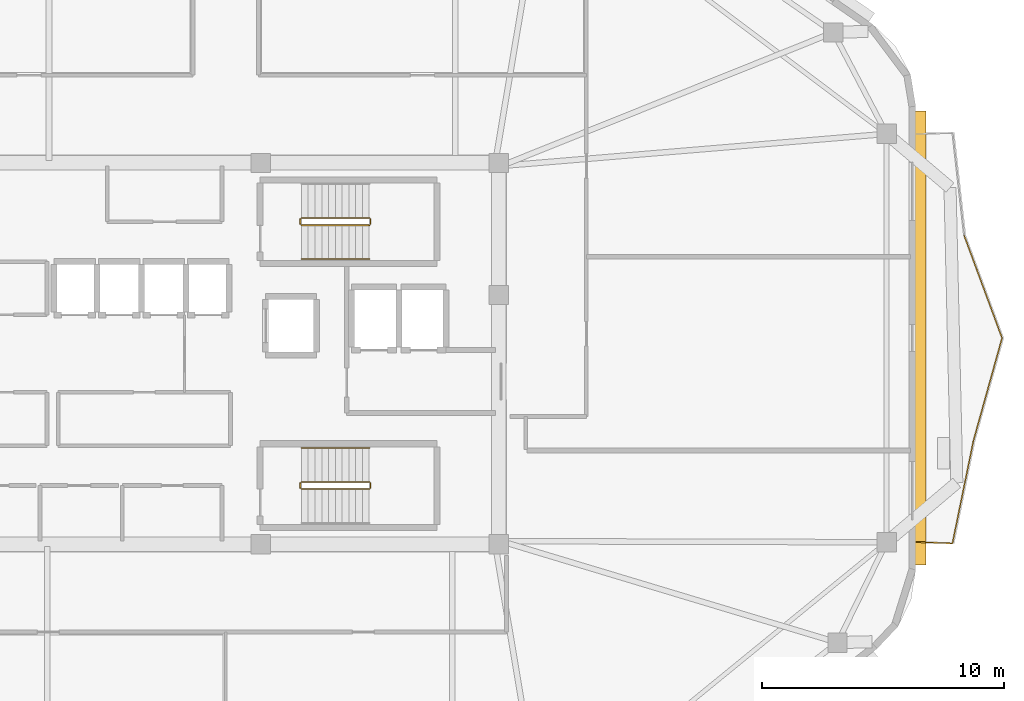
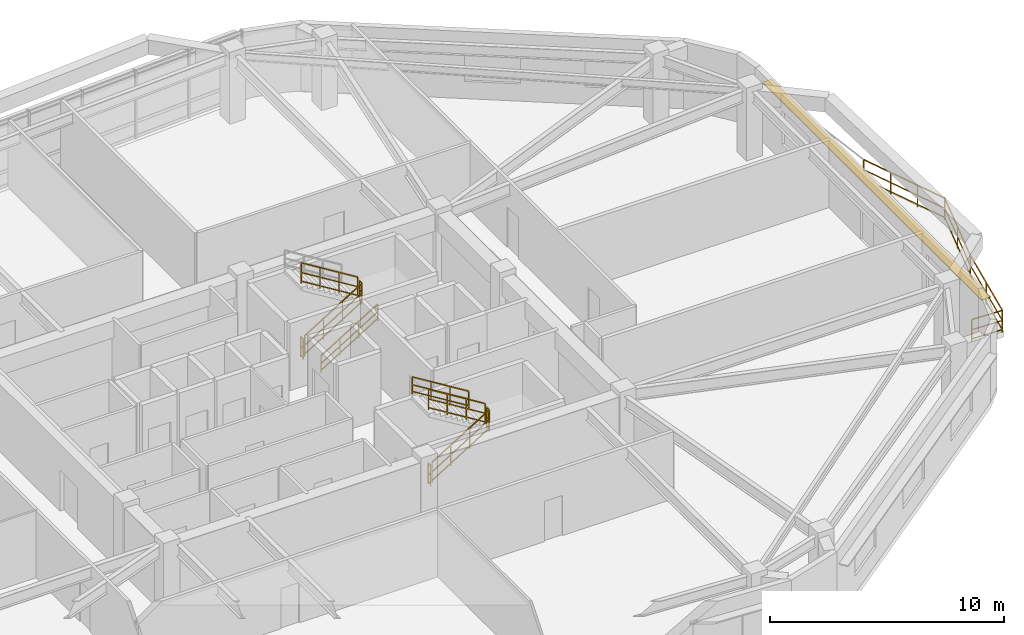
# One storey, part 11 of 12: 14 railings, 1 shading device.
"""IFC4 building model written with IfcOpenShell, lengths in metres."""

from ifc_helpers import new_model, si_unit, direction, frame, origin, origin_2d, place, context, subcontext, project, spatial, rectangle, extrude, material, layer, layer_set, type_object, element, save


model = new_model("IFC4")

# Units and contexts
model_context = context("Model", 3, precision=1e-05, world=origin(), true_north=direction((0.0, 1.0)))
body_context = subcontext(model_context, "Body", "Model", "MODEL_VIEW")
ifc_project = project(units=[si_unit("LENGTHUNIT", "METRE"), si_unit("AREAUNIT", "SQUARE_METRE"), si_unit("VOLUMEUNIT", "CUBIC_METRE"), si_unit("PLANEANGLEUNIT", "RADIAN"), si_unit("MASSUNIT", "GRAM", prefix="KILO")], contexts=[model_context])

# Site, building, storey
site_placement = place(None, origin())
site = spatial("IfcSite", under=ifc_project, at=site_placement, CompositionType="ELEMENT")
building_placement = place(site_placement, origin())
building = spatial("IfcBuilding", under=site, at=building_placement, Name="Zulverin Broadcast Headquarters", CompositionType="ELEMENT")
storey_placement = place(building_placement, frame((0.0, 0.0, 263.0)))
storey = spatial("IfcBuildingStorey", under=building, at=storey_placement, Name="L67", CompositionType="ELEMENT", Elevation=263.0)

# Railings
ifc_material_1 = material(Name="Brushed stainless steel & laminated glass balustrade", Category="steel")
railing_type_1 = type_object("IfcRailingType", Name="RL-GUARD-1150", PredefinedType="GUARDRAIL", material=ifc_material_1)
railing_1_placement = place(storey_placement, frame((65.5400390625, 17.417724609375, 0.0)))
element("IfcRailing", 1, at=railing_1_placement, inside=storey, type_object=railing_type_1, Name="L67 Vertical-Forest Balcony Guardrail BAL_E Segment 01", PredefinedType="GUARDRAIL", context=body_context, shape_type="SweptSolid", body=[
    extrude(rectangle(XDim=0.048095703125, YDim=0.048095703125, at=origin_2d()), frame((0.0, 0.0, 1.1259765625), z_axis=(0.99918088253, -0.040466825742, 0.0), x_axis=(0.040466825742, 0.99918088253, 0.0)), (0.0, 0.0, 1.0), 1.466064453125),
    extrude(rectangle(XDim=0.0419921875, YDim=0.0419921875, at=origin_2d()), frame((0.0, 0.0, 0.597900390625), z_axis=(0.99918088253, -0.040466825742, 0.0), x_axis=(0.040466825742, 0.99918088253, 0.0)), (0.0, 0.0, 1.0), 1.466064453125),
    extrude(rectangle(XDim=0.0419921875, YDim=0.0419921875, at=origin_2d()), frame((0.0, 0.0, 0.1201171875), z_axis=(0.99918088253, -0.040466825742, 0.0), x_axis=(0.040466825742, 0.99918088253, 0.0)), (0.0, 0.0, 1.0), 1.466064453125),
    extrude(rectangle(XDim=0.0419921875, YDim=0.0419921875, at=origin_2d()), origin(), (0.0, 0.0, 1.0), 1.101806640625),
    extrude(rectangle(XDim=0.0419921875, YDim=0.0419921875, at=origin_2d()), frame((1.46484375, -0.059326171875, 0.0)), (0.0, 0.0, 1.0), 1.101806640625),
])
railing_2_placement = place(storey_placement, frame((67.02294921875, 17.372314453125, 0.0)))
element("IfcRailing", 2, at=railing_2_placement, inside=storey, type_object=railing_type_1, Name="L67 Vertical-Forest Balcony Guardrail BAL_E Segment 02", PredefinedType="GUARDRAIL", context=body_context, shape_type="SweptSolid", body=[
    extrude(rectangle(XDim=0.048095703125, YDim=0.048095703125, at=origin_2d()), frame((0.0, 0.0, 1.1259765625), z_axis=(0.20037270255, 0.979719745679, 0.0), x_axis=(-0.979719745679, 0.20037270255, 0.0)), (0.0, 0.0, 1.0), 4.2998046875),
    extrude(rectangle(XDim=0.0419921875, YDim=0.0419921875, at=origin_2d()), frame((0.0, 0.0, 0.597900390625), z_axis=(0.20037270255, 0.979719745679, 0.0), x_axis=(-0.979719745679, 0.20037270255, 0.0)), (0.0, 0.0, 1.0), 4.2998046875),
    extrude(rectangle(XDim=0.0419921875, YDim=0.0419921875, at=origin_2d()), frame((0.0, 0.0, 0.1201171875), z_axis=(0.20037270255, 0.979719745679, 0.0), x_axis=(-0.979719745679, 0.20037270255, 0.0)), (0.0, 0.0, 1.0), 4.2998046875),
    extrude(rectangle(XDim=0.0419921875, YDim=0.0419921875, at=origin_2d()), origin(), (0.0, 0.0, 1.0), 1.101806640625),
    extrude(rectangle(XDim=0.0419921875, YDim=0.0419921875, at=origin_2d()), frame((0.4306640625, 2.1064453125, 0.0)), (0.0, 0.0, 1.0), 1.101806640625),
    extrude(rectangle(XDim=0.0419921875, YDim=0.0419921875, at=origin_2d()), frame((0.861572265625, 4.212646484375, 0.0)), (0.0, 0.0, 1.0), 1.101806640625),
])
railing_3_placement = place(storey_placement, frame((67.8916015625, 21.614013671875, 0.0)))
element("IfcRailing", 3, at=railing_3_placement, inside=storey, type_object=railing_type_1, Name="L67 Vertical-Forest Balcony Guardrail BAL_E Segment 03", PredefinedType="GUARDRAIL", context=body_context, shape_type="SweptSolid", body=[
    extrude(rectangle(XDim=0.048095703125, YDim=0.048095703125, at=origin_2d()), frame((0.0, 0.0, 1.1259765625), z_axis=(0.268478615717, 0.963285644501, 0.0), x_axis=(-0.963285644501, 0.268478615717, 0.0)), (0.0, 0.0, 1.0), 4.3740234375),
    extrude(rectangle(XDim=0.0419921875, YDim=0.0419921875, at=origin_2d()), frame((0.0, 0.0, 0.597900390625), z_axis=(0.268478615717, 0.963285644501, 0.0), x_axis=(-0.963285644501, 0.268478615717, 0.0)), (0.0, 0.0, 1.0), 4.3740234375),
    extrude(rectangle(XDim=0.0419921875, YDim=0.0419921875, at=origin_2d()), frame((0.0, 0.0, 0.1201171875), z_axis=(0.268478615717, 0.963285644501, 0.0), x_axis=(-0.963285644501, 0.268478615717, 0.0)), (0.0, 0.0, 1.0), 4.3740234375),
    extrude(rectangle(XDim=0.0419921875, YDim=0.0419921875, at=origin_2d()), origin(), (0.0, 0.0, 1.0), 1.101806640625),
    extrude(rectangle(XDim=0.0419921875, YDim=0.0419921875, at=origin_2d()), frame((0.587158203125, 2.106689453125, 0.0)), (0.0, 0.0, 1.0), 1.101806640625),
    extrude(rectangle(XDim=0.0419921875, YDim=0.0419921875, at=origin_2d()), frame((1.17431640625, 4.21337890625, 0.0)), (0.0, 0.0, 1.0), 1.101806640625),
])
railing_4_placement = place(storey_placement, frame((69.064697265625, 25.855712890625, 0.0)))
element("IfcRailing", 4, at=railing_4_placement, inside=storey, type_object=railing_type_1, Name="L67 Vertical-Forest Balcony Guardrail BAL_E Segment 04", PredefinedType="GUARDRAIL", context=body_context, shape_type="SweptSolid", body=[
    extrude(rectangle(XDim=0.048095703125, YDim=0.048095703125, at=origin_2d()), frame((0.0, 0.0, 1.1259765625), z_axis=(-0.346808122026, 0.937936099368, 0.0), x_axis=(-0.937936099368, -0.346808122026, 0.0)), (0.0, 0.0, 1.0), 4.49267578125),
    extrude(rectangle(XDim=0.0419921875, YDim=0.0419921875, at=origin_2d()), frame((0.0, 0.0, 0.597900390625), z_axis=(-0.346808122026, 0.937936099368, 0.0), x_axis=(-0.937936099368, -0.346808122026, 0.0)), (0.0, 0.0, 1.0), 4.49267578125),
    extrude(rectangle(XDim=0.0419921875, YDim=0.0419921875, at=origin_2d()), frame((0.0, 0.0, 0.1201171875), z_axis=(-0.346808122026, 0.937936099368, 0.0), x_axis=(-0.937936099368, -0.346808122026, 0.0)), (0.0, 0.0, 1.0), 4.49267578125),
    extrude(rectangle(XDim=0.0419921875, YDim=0.0419921875, at=origin_2d()), origin(), (0.0, 0.0, 1.0), 1.101806640625),
    extrude(rectangle(XDim=0.0419921875, YDim=0.0419921875, at=origin_2d()), frame((-0.519287109375, 1.404541015625, 0.0)), (0.0, 0.0, 1.0), 1.101806640625),
    extrude(rectangle(XDim=0.0419921875, YDim=0.0419921875, at=origin_2d()), frame((-1.038818359375, 2.809326171875, 0.0)), (0.0, 0.0, 1.0), 1.101806640625),
    extrude(rectangle(XDim=0.0419921875, YDim=0.0419921875, at=origin_2d()), frame((-1.55810546875, 4.2138671875, 0.0)), (0.0, 0.0, 1.0), 1.101806640625),
])
ifc_material_2 = material(Name="Painted galvanized steel tubular guardrail S355JR", Category="steel")
railing_type_2 = type_object("IfcRailingType", Name="RL-ST-GUARD", PredefinedType="GUARDRAIL", material=ifc_material_2)
railing_5_placement = place(storey_placement, frame((40.1298828125, 30.5, 0.172607421875)))
element("IfcRailing", 5, at=railing_5_placement, inside=storey, type_object=railing_type_2, Name="L67 ST-1 stair guard 1", PredefinedType="GUARDRAIL", context=body_context, shape_type="SweptSolid", body=[
    extrude(rectangle(XDim=0.048095703125, YDim=0.048095703125, at=origin_2d()), frame((0.0, 0.0, 1.076171875), z_axis=(0.851089632645, 0.0, 0.525020415988), x_axis=(0.0, 1.0, 0.0)), (0.0, 0.0, 1.0), 3.2900390625),
    extrude(rectangle(XDim=0.0419921875, YDim=0.0419921875, at=origin_2d()), frame((0.0, 0.0, 0.572021484375), z_axis=(0.851089632645, 0.0, 0.525020415988), x_axis=(0.0, 1.0, 0.0)), (0.0, 0.0, 1.0), 3.2900390625),
    extrude(rectangle(XDim=0.0419921875, YDim=0.0419921875, at=origin_2d()), frame((0.0, 0.0, 0.1201171875), z_axis=(0.851089632645, 0.0, 0.525020415988), x_axis=(0.0, 1.0, 0.0)), (0.0, 0.0, 1.0), 3.2900390625),
    extrude(rectangle(XDim=0.0419921875, YDim=0.0419921875, at=origin_2d()), origin(), (0.0, 0.0, 1.0), 1.052001953125),
    extrude(rectangle(XDim=0.0419921875, YDim=0.0419921875, at=origin_2d()), frame((0.933349609375, 0.0, 0.57568359375)), (0.0, 0.0, 1.0), 1.052001953125),
    extrude(rectangle(XDim=0.0419921875, YDim=0.0419921875, at=origin_2d()), frame((1.86669921875, 0.0, 1.151611328125)), (0.0, 0.0, 1.0), 1.052001953125),
    extrude(rectangle(XDim=0.0419921875, YDim=0.0419921875, at=origin_2d()), frame((2.800048828125, 0.0, 1.727294921875)), (0.0, 0.0, 1.0), 1.052001953125),
])
railing_6_placement = place(storey_placement, frame((42.97998046875, 30.550048828125, 1.89990234375)))
element("IfcRailing", 6, at=railing_6_placement, inside=storey, type_object=railing_type_2, Name="L67 ST-1 stair guard 2", PredefinedType="GUARDRAIL", context=body_context, shape_type="SweptSolid", body=[
    extrude(rectangle(XDim=0.048095703125, YDim=0.048095703125, at=origin_2d()), frame((0.0, 0.0, 1.076171875), z_axis=(0.0, 1.0, 0.0), x_axis=(-1.0, 0.0, 0.0)), (0.0, 0.0, 1.0), 0.199951171875),
    extrude(rectangle(XDim=0.0419921875, YDim=0.0419921875, at=origin_2d()), frame((0.0, 0.0, 0.572021484375), z_axis=(0.0, 1.0, 0.0), x_axis=(-1.0, 0.0, 0.0)), (0.0, 0.0, 1.0), 0.199951171875),
    extrude(rectangle(XDim=0.0419921875, YDim=0.0419921875, at=origin_2d()), frame((0.0, 0.0, 0.1201171875), z_axis=(0.0, 1.0, 0.0), x_axis=(-1.0, 0.0, 0.0)), (0.0, 0.0, 1.0), 0.199951171875),
    extrude(rectangle(XDim=0.0419921875, YDim=0.0419921875, at=origin_2d()), origin(), (0.0, 0.0, 1.0), 1.052001953125),
    extrude(rectangle(XDim=0.0419921875, YDim=0.0419921875, at=origin_2d()), frame((0.0, 0.199951171875, 0.0)), (0.0, 0.0, 1.0), 1.052001953125),
])
railing_7_placement = place(storey_placement, frame((42.929931640625, 30.800048828125, 2.07275390625)))
element("IfcRailing", 7, at=railing_7_placement, inside=storey, type_object=railing_type_2, Name="L67 ST-1 stair guard 3", PredefinedType="GUARDRAIL", context=body_context, shape_type="SweptSolid", body=[
    extrude(rectangle(XDim=0.048095703125, YDim=0.048095703125, at=origin_2d()), frame((0.0, 0.0, 1.076171875), z_axis=(-0.851089632645, 0.0, 0.525020415988), x_axis=(0.0, -1.0, 0.0)), (0.0, 0.0, 1.0), 3.2900390625),
    extrude(rectangle(XDim=0.0419921875, YDim=0.0419921875, at=origin_2d()), frame((0.0, 0.0, 0.572021484375), z_axis=(-0.851089632645, 0.0, 0.525020415988), x_axis=(0.0, -1.0, 0.0)), (0.0, 0.0, 1.0), 3.2900390625),
    extrude(rectangle(XDim=0.0419921875, YDim=0.0419921875, at=origin_2d()), frame((0.0, 0.0, 0.1201171875), z_axis=(-0.851089632645, 0.0, 0.525020415988), x_axis=(0.0, -1.0, 0.0)), (0.0, 0.0, 1.0), 3.2900390625),
    extrude(rectangle(XDim=0.0419921875, YDim=0.0419921875, at=origin_2d()), origin(), (0.0, 0.0, 1.0), 1.052001953125),
    extrude(rectangle(XDim=0.0419921875, YDim=0.0419921875, at=origin_2d()), frame((-0.933349609375, 0.0, 0.57568359375)), (0.0, 0.0, 1.0), 1.052001953125),
    extrude(rectangle(XDim=0.0419921875, YDim=0.0419921875, at=origin_2d()), frame((-1.86669921875, 0.0, 1.151611328125)), (0.0, 0.0, 1.0), 1.052001953125),
    extrude(rectangle(XDim=0.0419921875, YDim=0.0419921875, at=origin_2d()), frame((-2.800048828125, 0.0, 1.727294921875)), (0.0, 0.0, 1.0), 1.052001953125),
])
railing_8_placement = place(storey_placement, frame((40.080078125, 30.550048828125, 0.0)))
element("IfcRailing", 8, at=railing_8_placement, inside=storey, type_object=railing_type_2, Name="L67 ST-1 stair guard 4", PredefinedType="GUARDRAIL", context=body_context, shape_type="SweptSolid", body=[
    extrude(rectangle(XDim=0.048095703125, YDim=0.048095703125, at=origin_2d()), frame((0.0, 0.0, 1.076171875), z_axis=(0.0, 1.0, 0.0), x_axis=(-1.0, 0.0, 0.0)), (0.0, 0.0, 1.0), 0.199951171875),
    extrude(rectangle(XDim=0.0419921875, YDim=0.0419921875, at=origin_2d()), frame((0.0, 0.0, 0.572021484375), z_axis=(0.0, 1.0, 0.0), x_axis=(-1.0, 0.0, 0.0)), (0.0, 0.0, 1.0), 0.199951171875),
    extrude(rectangle(XDim=0.0419921875, YDim=0.0419921875, at=origin_2d()), frame((0.0, 0.0, 0.1201171875), z_axis=(0.0, 1.0, 0.0), x_axis=(-1.0, 0.0, 0.0)), (0.0, 0.0, 1.0), 0.199951171875),
    extrude(rectangle(XDim=0.0419921875, YDim=0.0419921875, at=origin_2d()), origin(), (0.0, 0.0, 1.0), 1.052001953125),
    extrude(rectangle(XDim=0.0419921875, YDim=0.0419921875, at=origin_2d()), frame((0.0, 0.199951171875, 0.0)), (0.0, 0.0, 1.0), 1.052001953125),
])
railing_9_placement = place(storey_placement, frame((40.1298828125, 19.60009765625, 0.172607421875)))
element("IfcRailing", 9, at=railing_9_placement, inside=storey, type_object=railing_type_2, Name="L67 ST-2 stair guard 1", PredefinedType="GUARDRAIL", context=body_context, shape_type="SweptSolid", body=[
    extrude(rectangle(XDim=0.048095703125, YDim=0.048095703125, at=origin_2d()), frame((0.0, 0.0, 1.076171875), z_axis=(0.851089632645, 0.0, 0.525020415988), x_axis=(0.0, 1.0, 0.0)), (0.0, 0.0, 1.0), 3.2900390625),
    extrude(rectangle(XDim=0.0419921875, YDim=0.0419921875, at=origin_2d()), frame((0.0, 0.0, 0.572021484375), z_axis=(0.851089632645, 0.0, 0.525020415988), x_axis=(0.0, 1.0, 0.0)), (0.0, 0.0, 1.0), 3.2900390625),
    extrude(rectangle(XDim=0.0419921875, YDim=0.0419921875, at=origin_2d()), frame((0.0, 0.0, 0.1201171875), z_axis=(0.851089632645, 0.0, 0.525020415988), x_axis=(0.0, 1.0, 0.0)), (0.0, 0.0, 1.0), 3.2900390625),
    extrude(rectangle(XDim=0.0419921875, YDim=0.0419921875, at=origin_2d()), origin(), (0.0, 0.0, 1.0), 1.052001953125),
    extrude(rectangle(XDim=0.0419921875, YDim=0.0419921875, at=origin_2d()), frame((0.933349609375, 0.0, 0.57568359375)), (0.0, 0.0, 1.0), 1.052001953125),
    extrude(rectangle(XDim=0.0419921875, YDim=0.0419921875, at=origin_2d()), frame((1.86669921875, 0.0, 1.151611328125)), (0.0, 0.0, 1.0), 1.052001953125),
    extrude(rectangle(XDim=0.0419921875, YDim=0.0419921875, at=origin_2d()), frame((2.800048828125, 0.0, 1.727294921875)), (0.0, 0.0, 1.0), 1.052001953125),
])
railing_10_placement = place(storey_placement, frame((42.97998046875, 19.64990234375, 1.89990234375)))
element("IfcRailing", 10, at=railing_10_placement, inside=storey, type_object=railing_type_2, Name="L67 ST-2 stair guard 2", PredefinedType="GUARDRAIL", context=body_context, shape_type="SweptSolid", body=[
    extrude(rectangle(XDim=0.048095703125, YDim=0.048095703125, at=origin_2d()), frame((0.0, 0.0, 1.076171875), z_axis=(0.0, 1.0, 0.0), x_axis=(-1.0, 0.0, 0.0)), (0.0, 0.0, 1.0), 0.2001953125),
    extrude(rectangle(XDim=0.0419921875, YDim=0.0419921875, at=origin_2d()), frame((0.0, 0.0, 0.572021484375), z_axis=(0.0, 1.0, 0.0), x_axis=(-1.0, 0.0, 0.0)), (0.0, 0.0, 1.0), 0.2001953125),
    extrude(rectangle(XDim=0.0419921875, YDim=0.0419921875, at=origin_2d()), frame((0.0, 0.0, 0.1201171875), z_axis=(0.0, 1.0, 0.0), x_axis=(-1.0, 0.0, 0.0)), (0.0, 0.0, 1.0), 0.2001953125),
    extrude(rectangle(XDim=0.0419921875, YDim=0.0419921875, at=origin_2d()), origin(), (0.0, 0.0, 1.0), 1.052001953125),
    extrude(rectangle(XDim=0.0419921875, YDim=0.0419921875, at=origin_2d()), frame((0.0, 0.2001953125, 0.0)), (0.0, 0.0, 1.0), 1.052001953125),
])
railing_11_placement = place(storey_placement, frame((42.929931640625, 19.89990234375, 2.07275390625)))
element("IfcRailing", 11, at=railing_11_placement, inside=storey, type_object=railing_type_2, Name="L67 ST-2 stair guard 3", PredefinedType="GUARDRAIL", context=body_context, shape_type="SweptSolid", body=[
    extrude(rectangle(XDim=0.048095703125, YDim=0.048095703125, at=origin_2d()), frame((0.0, 0.0, 1.076171875), z_axis=(-0.851089632645, 0.0, 0.525020415988), x_axis=(0.0, -1.0, 0.0)), (0.0, 0.0, 1.0), 3.2900390625),
    extrude(rectangle(XDim=0.0419921875, YDim=0.0419921875, at=origin_2d()), frame((0.0, 0.0, 0.572021484375), z_axis=(-0.851089632645, 0.0, 0.525020415988), x_axis=(0.0, -1.0, 0.0)), (0.0, 0.0, 1.0), 3.2900390625),
    extrude(rectangle(XDim=0.0419921875, YDim=0.0419921875, at=origin_2d()), frame((0.0, 0.0, 0.1201171875), z_axis=(-0.851089632645, 0.0, 0.525020415988), x_axis=(0.0, -1.0, 0.0)), (0.0, 0.0, 1.0), 3.2900390625),
    extrude(rectangle(XDim=0.0419921875, YDim=0.0419921875, at=origin_2d()), origin(), (0.0, 0.0, 1.0), 1.052001953125),
    extrude(rectangle(XDim=0.0419921875, YDim=0.0419921875, at=origin_2d()), frame((-0.933349609375, 0.0, 0.57568359375)), (0.0, 0.0, 1.0), 1.052001953125),
    extrude(rectangle(XDim=0.0419921875, YDim=0.0419921875, at=origin_2d()), frame((-1.86669921875, 0.0, 1.151611328125)), (0.0, 0.0, 1.0), 1.052001953125),
    extrude(rectangle(XDim=0.0419921875, YDim=0.0419921875, at=origin_2d()), frame((-2.800048828125, 0.0, 1.727294921875)), (0.0, 0.0, 1.0), 1.052001953125),
])
railing_12_placement = place(storey_placement, frame((40.080078125, 19.64990234375, 0.0)))
element("IfcRailing", 12, at=railing_12_placement, inside=storey, type_object=railing_type_2, Name="L67 ST-2 stair guard 4", PredefinedType="GUARDRAIL", context=body_context, shape_type="SweptSolid", body=[
    extrude(rectangle(XDim=0.048095703125, YDim=0.048095703125, at=origin_2d()), frame((0.0, 0.0, 1.076171875), z_axis=(0.0, 1.0, 0.0), x_axis=(-1.0, 0.0, 0.0)), (0.0, 0.0, 1.0), 0.2001953125),
    extrude(rectangle(XDim=0.0419921875, YDim=0.0419921875, at=origin_2d()), frame((0.0, 0.0, 0.572021484375), z_axis=(0.0, 1.0, 0.0), x_axis=(-1.0, 0.0, 0.0)), (0.0, 0.0, 1.0), 0.2001953125),
    extrude(rectangle(XDim=0.0419921875, YDim=0.0419921875, at=origin_2d()), frame((0.0, 0.0, 0.1201171875), z_axis=(0.0, 1.0, 0.0), x_axis=(-1.0, 0.0, 0.0)), (0.0, 0.0, 1.0), 0.2001953125),
    extrude(rectangle(XDim=0.0419921875, YDim=0.0419921875, at=origin_2d()), origin(), (0.0, 0.0, 1.0), 1.052001953125),
    extrude(rectangle(XDim=0.0419921875, YDim=0.0419921875, at=origin_2d()), frame((0.0, 0.2001953125, 0.0)), (0.0, 0.0, 1.0), 1.052001953125),
])
ifc_material_3 = material(Name="Brushed stainless steel 48 mm handrail", Category="steel")
railing_type_3 = type_object("IfcRailingType", Name="RL-ST-HAND", PredefinedType="HANDRAIL", material=ifc_material_3)
railing_13_placement = place(storey_placement, frame((40.1298828125, 29.10009765625, 0.172607421875)))
element("IfcRailing", 13, at=railing_13_placement, inside=storey, type_object=railing_type_3, Name="L67 ST-1 stair handrail 1", PredefinedType="HANDRAIL", context=body_context, shape_type="SweptSolid", body=[
    extrude(rectangle(XDim=0.048095703125, YDim=0.048095703125, at=origin_2d()), frame((0.0, 0.0, 0.8759765625), z_axis=(0.851089632645, 0.0, 0.525020415988), x_axis=(0.0, 1.0, 0.0)), (0.0, 0.0, 1.0), 3.2900390625),
    extrude(rectangle(XDim=0.0419921875, YDim=0.0419921875, at=origin_2d()), frame((0.0, 0.0, 0.468017578125), z_axis=(0.851089632645, 0.0, 0.525020415988), x_axis=(0.0, 1.0, 0.0)), (0.0, 0.0, 1.0), 3.2900390625),
    extrude(rectangle(XDim=0.0419921875, YDim=0.0419921875, at=origin_2d()), frame((0.0, 0.0, 0.1201171875), z_axis=(0.851089632645, 0.0, 0.525020415988), x_axis=(0.0, 1.0, 0.0)), (0.0, 0.0, 1.0), 3.2900390625),
    extrude(rectangle(XDim=0.0419921875, YDim=0.0419921875, at=origin_2d()), origin(), (0.0, 0.0, 1.0), 0.851806640625),
    extrude(rectangle(XDim=0.0419921875, YDim=0.0419921875, at=origin_2d()), frame((0.933349609375, 0.0, 0.57568359375)), (0.0, 0.0, 1.0), 0.851806640625),
    extrude(rectangle(XDim=0.0419921875, YDim=0.0419921875, at=origin_2d()), frame((1.86669921875, 0.0, 1.151611328125)), (0.0, 0.0, 1.0), 0.851806640625),
    extrude(rectangle(XDim=0.0419921875, YDim=0.0419921875, at=origin_2d()), frame((2.800048828125, 0.0, 1.727294921875)), (0.0, 0.0, 1.0), 0.851806640625),
])
railing_14_placement = place(storey_placement, frame((42.929931640625, 21.300048828125, 2.07275390625)))
element("IfcRailing", 14, at=railing_14_placement, inside=storey, type_object=railing_type_3, Name="L67 ST-2 stair handrail 2", PredefinedType="HANDRAIL", context=body_context, shape_type="SweptSolid", body=[
    extrude(rectangle(XDim=0.048095703125, YDim=0.048095703125, at=origin_2d()), frame((0.0, 0.0, 0.8759765625), z_axis=(-0.851089632645, 0.0, 0.525020415988), x_axis=(0.0, -1.0, 0.0)), (0.0, 0.0, 1.0), 3.2900390625),
    extrude(rectangle(XDim=0.0419921875, YDim=0.0419921875, at=origin_2d()), frame((0.0, 0.0, 0.468017578125), z_axis=(-0.851089632645, 0.0, 0.525020415988), x_axis=(0.0, -1.0, 0.0)), (0.0, 0.0, 1.0), 3.2900390625),
    extrude(rectangle(XDim=0.0419921875, YDim=0.0419921875, at=origin_2d()), frame((0.0, 0.0, 0.1201171875), z_axis=(-0.851089632645, 0.0, 0.525020415988), x_axis=(0.0, -1.0, 0.0)), (0.0, 0.0, 1.0), 3.2900390625),
    extrude(rectangle(XDim=0.0419921875, YDim=0.0419921875, at=origin_2d()), origin(), (0.0, 0.0, 1.0), 0.851806640625),
    extrude(rectangle(XDim=0.0419921875, YDim=0.0419921875, at=origin_2d()), frame((-0.933349609375, 0.0, 0.57568359375)), (0.0, 0.0, 1.0), 0.851806640625),
    extrude(rectangle(XDim=0.0419921875, YDim=0.0419921875, at=origin_2d()), frame((-1.86669921875, 0.0, 1.151611328125)), (0.0, 0.0, 1.0), 0.851806640625),
    extrude(rectangle(XDim=0.0419921875, YDim=0.0419921875, at=origin_2d()), frame((-2.800048828125, 0.0, 1.727294921875)), (0.0, 0.0, 1.0), 0.851806640625),
])

# Shading device
ifc_material_4 = material(Name="Anodized pale-metal aluminium sunshade", Category="aluminium")
ifc_layer = layer(ifc_material_4, 0.06005859375, Name="Anodized pale-metal aluminium sunshade", Category="aluminium")
ifc_layer_set = layer_set([ifc_layer], Name="Anodized pale-metal aluminium sunshade")
shading_device_type = type_object("IfcShadingDeviceType", Name="SS-01_PALE_METAL_ALUMINIUM_SUNSHADE", PredefinedType="USERDEFINED", material=ifc_layer_set)
shading_device_placement = place(storey_placement, frame((65.699951171875, 25.841796875, 2.7099609375), z_axis=(0.0, 0.0, 1.0), x_axis=(0.0, 1.0, 0.0)))
element("IfcShadingDevice", 15, at=shading_device_placement, inside=storey, type_object=shading_device_type, Name="L67 Horizontal Pale-Metal Sunshade Band 3", ObjectType="SUNSHADE", PredefinedType="USERDEFINED", context=body_context, shape_type="SweptSolid", body=[
    extrude(rectangle(XDim=18.76806640625, YDim=0.449951171875, at=origin_2d()), origin(), (0.0, 0.0, 1.0), 0.06005859375),
])

save(model, "model.ifc")
